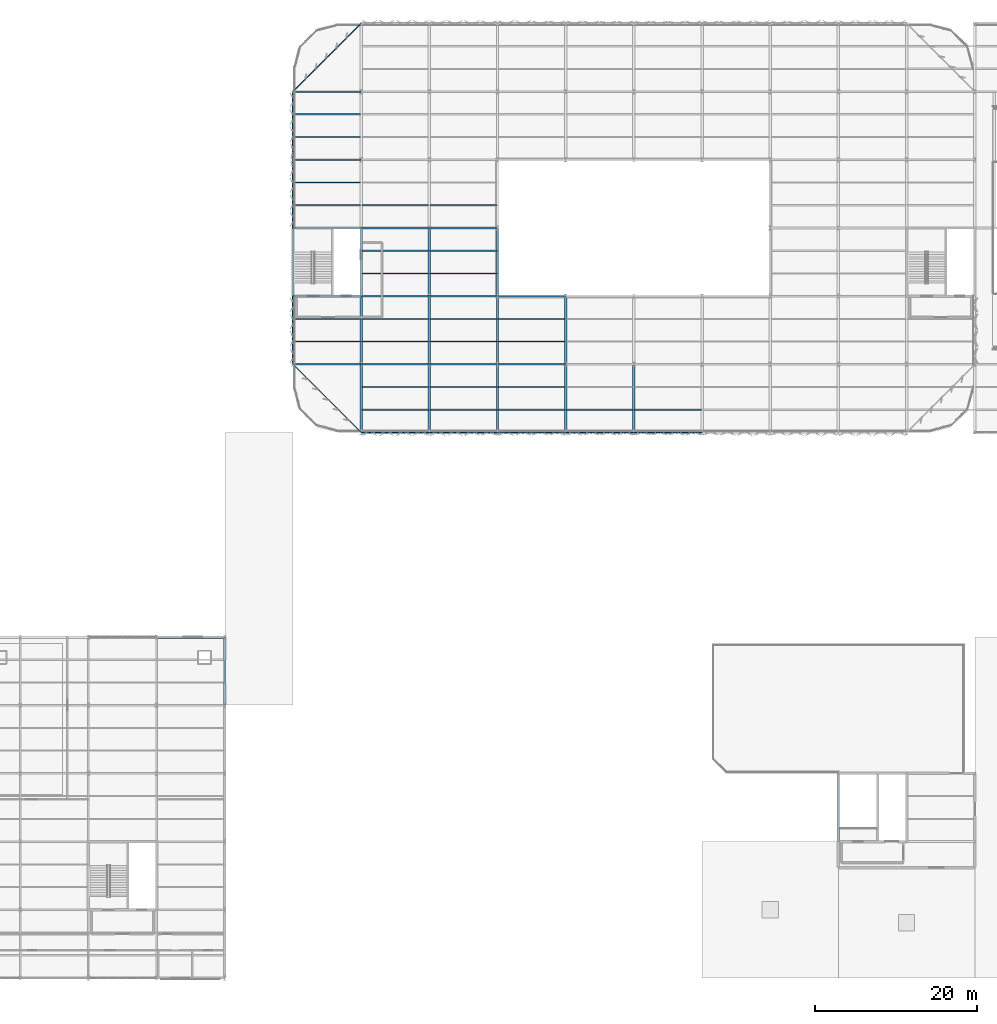
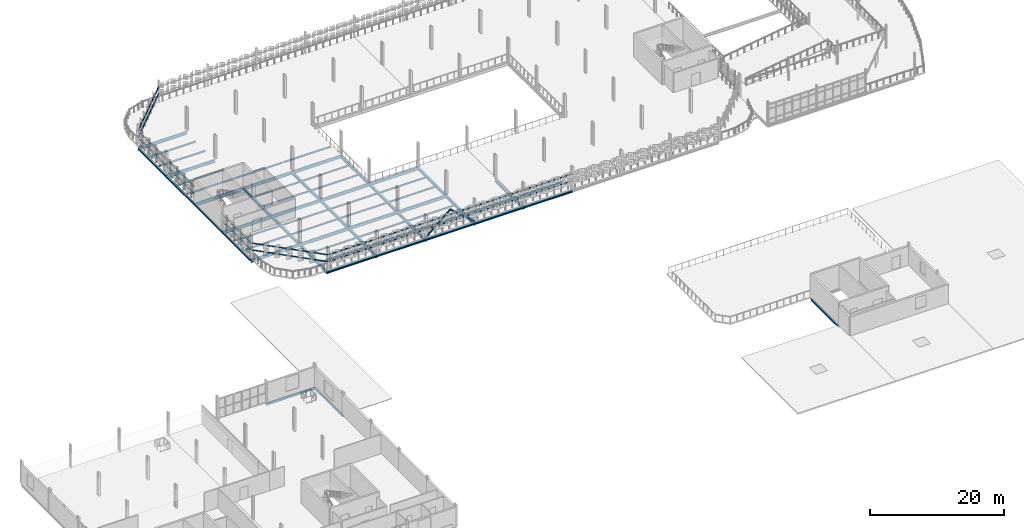
# One storey, part 27 of 69: 83 beams, 2 members.
"""IFC4 building model written with IfcOpenShell, lengths in metres."""

from ifc_helpers import new_model, si_unit, direction, frame, origin, origin_2d, place, context, subcontext, project, spatial, hollow_rectangle, i_section, extrude, material, material_profile, profile_set, type_object, element, save


model = new_model("IFC4")

# Units and contexts
model_context = context("Model", 3, precision=1e-05, world=origin(), true_north=direction((0.0, 1.0)))
body_context = subcontext(model_context, "Body", "Model", "MODEL_VIEW")
ifc_project = project(units=[si_unit("LENGTHUNIT", "METRE"), si_unit("AREAUNIT", "SQUARE_METRE"), si_unit("VOLUMEUNIT", "CUBIC_METRE"), si_unit("PLANEANGLEUNIT", "RADIAN"), si_unit("MASSUNIT", "GRAM", prefix="KILO")], contexts=[model_context])

# Site, building, storey
site_placement = place(None, origin())
site = spatial("IfcSite", under=ifc_project, at=site_placement, CompositionType="ELEMENT")
building_placement = place(site_placement, origin())
building = spatial("IfcBuilding", under=site, at=building_placement, Name="Qalvenar Corner Mobility Hub", CompositionType="ELEMENT")
storey_placement = place(building_placement, frame((0.0, 0.0, 13.199951171875)))
storey = spatial("IfcBuildingStorey", under=building, at=storey_placement, Name="L03", CompositionType="ELEMENT", Elevation=13.199951171875)

# Beams
ifc_material = material(Name="Steel S355", Category="steel")
ifc_material_profile_1 = material_profile(ifc_material, i_section(OverallWidth=0.300048828125, OverallDepth=0.489990234375, WebThickness=0.011962890625, FlangeThickness=0.02294921875, FilletRadius=0.027099609375, at=origin_2d()), Name="HEA500")
ifc_profile_set_1 = profile_set([ifc_material_profile_1], Name="Steel S355")
beam_type_1 = type_object("IfcBeamType", Name="BM-HEA500", PredefinedType="BEAM", material=ifc_profile_set_1)
beam_1_placement = place(storey_placement, frame((67.199951171875, 67.199951171875, -0.48486328125), z_axis=(0.0, 1.0, 0.0), x_axis=(-1.0, 0.0, 0.0)))
element("IfcBeam", 1, at=beam_1_placement, inside=storey, type_object=beam_type_1, Name="Primary Steel Girder GY-2391", PredefinedType="BEAM", context=body_context, shape_type="SweptSolid", body=[
    extrude(i_section(OverallWidth=0.300048828125, OverallDepth=0.489990234375, WebThickness=0.011962890625, FlangeThickness=0.02294921875, FilletRadius=0.027099609375, at=origin_2d()), origin(), (0.0, 0.0, 1.0), 8.400146484375),
])
for number, where, z_axis, x_axis, name in (
    (2, (67.199951171875, 75.60009765625, -0.48486328125), (0.0, 1.0, 0.0), (-1.0, 0.0, 0.0), "Primary Steel Girder GY-2392"),
    (3, (67.199951171875, 84.0, -0.48486328125), (0.0, 1.0, 0.0), (-1.0, 0.0, 0.0), "Primary Steel Girder GY-2393"),
):
    element("IfcBeam", number, at=place(storey_placement, frame(where, z_axis=z_axis, x_axis=x_axis)), inside=storey, type_object=beam_type_1, Name=name, PredefinedType="BEAM", context=body_context, shape_type="SweptSolid", body=[
        extrude(i_section(OverallWidth=0.300048828125, OverallDepth=0.489990234375, WebThickness=0.011962890625, FlangeThickness=0.02294921875, FilletRadius=0.027099609375, at=origin_2d()), origin(), (0.0, 0.0, 1.0), 8.39990234375),
    ])
beam_2_placement = place(storey_placement, frame((75.60009765625, 67.199951171875, -0.48486328125), z_axis=(0.0, 1.0, 0.0), x_axis=(-1.0, 0.0, 0.0)))
element("IfcBeam", 4, at=beam_2_placement, inside=storey, type_object=beam_type_1, Name="Primary Steel Girder GY-2397", PredefinedType="BEAM", context=body_context, shape_type="SweptSolid", body=[
    extrude(i_section(OverallWidth=0.300048828125, OverallDepth=0.489990234375, WebThickness=0.011962890625, FlangeThickness=0.02294921875, FilletRadius=0.027099609375, at=origin_2d()), origin(), (0.0, 0.0, 1.0), 8.400146484375),
])
for number, where, z_axis, x_axis, name in (
    (5, (75.60009765625, 75.60009765625, -0.48486328125), (0.0, 1.0, 0.0), (-1.0, 0.0, 0.0), "Primary Steel Girder GY-2398"),
    (6, (75.60009765625, 84.0, -0.48486328125), (0.0, 1.0, 0.0), (-1.0, 0.0, 0.0), "Primary Steel Girder GY-2399"),
):
    element("IfcBeam", number, at=place(storey_placement, frame(where, z_axis=z_axis, x_axis=x_axis)), inside=storey, type_object=beam_type_1, Name=name, PredefinedType="BEAM", context=body_context, shape_type="SweptSolid", body=[
        extrude(i_section(OverallWidth=0.300048828125, OverallDepth=0.489990234375, WebThickness=0.011962890625, FlangeThickness=0.02294921875, FilletRadius=0.027099609375, at=origin_2d()), origin(), (0.0, 0.0, 1.0), 8.39990234375),
    ])
beam_3_placement = place(storey_placement, frame((84.0, 67.199951171875, -0.48486328125), z_axis=(0.0, 1.0, 0.0), x_axis=(-1.0, 0.0, 0.0)))
element("IfcBeam", 7, at=beam_3_placement, inside=storey, type_object=beam_type_1, Name="Primary Steel Girder GY-2403", PredefinedType="BEAM", context=body_context, shape_type="SweptSolid", body=[
    extrude(i_section(OverallWidth=0.300048828125, OverallDepth=0.489990234375, WebThickness=0.011962890625, FlangeThickness=0.02294921875, FilletRadius=0.027099609375, at=origin_2d()), origin(), (0.0, 0.0, 1.0), 8.400146484375),
])
for number, where, z_axis, x_axis, name in (
    (8, (84.0, 75.60009765625, -0.48486328125), (0.0, 1.0, 0.0), (-1.0, 0.0, 0.0), "Primary Steel Girder GY-2404"),
    (9, (84.0, 84.0, -0.48486328125), (0.0, 1.0, 0.0), (-1.0, 0.0, 0.0), "Primary Steel Girder GY-2405"),
):
    element("IfcBeam", number, at=place(storey_placement, frame(where, z_axis=z_axis, x_axis=x_axis)), inside=storey, type_object=beam_type_1, Name=name, PredefinedType="BEAM", context=body_context, shape_type="SweptSolid", body=[
        extrude(i_section(OverallWidth=0.300048828125, OverallDepth=0.489990234375, WebThickness=0.011962890625, FlangeThickness=0.02294921875, FilletRadius=0.027099609375, at=origin_2d()), origin(), (0.0, 0.0, 1.0), 8.39990234375),
    ])
beam_4_placement = place(storey_placement, frame((92.39990234375, 67.199951171875, -0.48486328125), z_axis=(0.0, 1.0, 0.0), x_axis=(-1.0, 0.0, 0.0)))
element("IfcBeam", 10, at=beam_4_placement, inside=storey, type_object=beam_type_1, Name="Primary Steel Girder GY-2409", PredefinedType="BEAM", context=body_context, shape_type="SweptSolid", body=[
    extrude(i_section(OverallWidth=0.300048828125, OverallDepth=0.489990234375, WebThickness=0.011962890625, FlangeThickness=0.02294921875, FilletRadius=0.027099609375, at=origin_2d()), origin(), (0.0, 0.0, 1.0), 8.400146484375),
])
beam_5_placement = place(storey_placement, frame((92.39990234375, 75.60009765625, -0.48486328125), z_axis=(0.0, 1.0, 0.0), x_axis=(-1.0, 0.0, 0.0)))
element("IfcBeam", 11, at=beam_5_placement, inside=storey, type_object=beam_type_1, Name="Primary Steel Girder GY-2410", PredefinedType="BEAM", context=body_context, shape_type="SweptSolid", body=[
    extrude(i_section(OverallWidth=0.300048828125, OverallDepth=0.489990234375, WebThickness=0.011962890625, FlangeThickness=0.02294921875, FilletRadius=0.027099609375, at=origin_2d()), origin(), (0.0, 0.0, 1.0), 8.39990234375),
])
beam_6_placement = place(storey_placement, frame((100.800048828125, 67.199951171875, -0.48486328125), z_axis=(0.0, 1.0, 0.0), x_axis=(-1.0, 0.0, 0.0)))
element("IfcBeam", 12, at=beam_6_placement, inside=storey, type_object=beam_type_1, Name="Primary Steel Girder GY-2413", PredefinedType="BEAM", context=body_context, shape_type="SweptSolid", body=[
    extrude(i_section(OverallWidth=0.300048828125, OverallDepth=0.489990234375, WebThickness=0.011962890625, FlangeThickness=0.02294921875, FilletRadius=0.027099609375, at=origin_2d()), origin(), (0.0, 0.0, 1.0), 8.400146484375),
])
ifc_material_profile_2 = material_profile(ifc_material, i_section(OverallWidth=0.2099609375, OverallDepth=0.550048828125, WebThickness=0.010986328125, FlangeThickness=0.01708984375, FilletRadius=0.02392578125, at=origin_2d()), Name="IPE550")
ifc_profile_set_2 = profile_set([ifc_material_profile_2], Name="Steel S355")
beam_type_2 = type_object("IfcBeamType", Name="BM-IPE550", PredefinedType="BEAM", material=ifc_profile_set_2)
beam_7_placement = place(storey_placement, frame((58.800048828125, 75.60009765625, -0.514892578125), z_axis=(1.0, 0.0, 0.0), x_axis=(0.0, 1.0, 0.0)))
element("IfcBeam", 13, at=beam_7_placement, inside=storey, type_object=beam_type_2, Name="Primary Steel Girder GX-2333", PredefinedType="BEAM", context=body_context, shape_type="SweptSolid", body=[
    extrude(i_section(OverallWidth=0.2099609375, OverallDepth=0.550048828125, WebThickness=0.010986328125, FlangeThickness=0.01708984375, FilletRadius=0.02392578125, at=origin_2d()), origin(), (0.0, 0.0, 1.0), 8.39990234375),
])
beam_8_placement = place(storey_placement, frame((67.199951171875, 75.60009765625, -0.514892578125), z_axis=(1.0, 0.0, 0.0), x_axis=(0.0, 1.0, 0.0)))
element("IfcBeam", 14, at=beam_8_placement, inside=storey, type_object=beam_type_2, Name="Primary Steel Girder GX-2334", PredefinedType="BEAM", context=body_context, shape_type="SweptSolid", body=[
    extrude(i_section(OverallWidth=0.2099609375, OverallDepth=0.550048828125, WebThickness=0.010986328125, FlangeThickness=0.01708984375, FilletRadius=0.02392578125, at=origin_2d()), origin(), (0.0, 0.0, 1.0), 8.400146484375),
])
for number, where, z_axis, x_axis, name in (
    (15, (75.60009765625, 75.60009765625, -0.514892578125), (1.0, 0.0, 0.0), (0.0, 1.0, 0.0), "Primary Steel Girder GX-2335"),
    (16, (84.0, 75.60009765625, -0.514892578125), (1.0, 0.0, 0.0), (0.0, 1.0, 0.0), "Primary Steel Girder GX-2336"),
    (17, (58.800048828125, 84.0, -0.514892578125), (1.0, 0.0, 0.0), (0.0, 1.0, 0.0), "Primary Steel Girder GX-2343"),
):
    element("IfcBeam", number, at=place(storey_placement, frame(where, z_axis=z_axis, x_axis=x_axis)), inside=storey, type_object=beam_type_2, Name=name, PredefinedType="BEAM", context=body_context, shape_type="SweptSolid", body=[
        extrude(i_section(OverallWidth=0.2099609375, OverallDepth=0.550048828125, WebThickness=0.010986328125, FlangeThickness=0.01708984375, FilletRadius=0.02392578125, at=origin_2d()), origin(), (0.0, 0.0, 1.0), 8.39990234375),
    ])
beam_9_placement = place(storey_placement, frame((67.199951171875, 84.0, -0.514892578125), z_axis=(1.0, 0.0, 0.0), x_axis=(0.0, 1.0, 0.0)))
element("IfcBeam", 18, at=beam_9_placement, inside=storey, type_object=beam_type_2, Name="Primary Steel Girder GX-2344", PredefinedType="BEAM", context=body_context, shape_type="SweptSolid", body=[
    extrude(i_section(OverallWidth=0.2099609375, OverallDepth=0.550048828125, WebThickness=0.010986328125, FlangeThickness=0.01708984375, FilletRadius=0.02392578125, at=origin_2d()), origin(), (0.0, 0.0, 1.0), 8.400146484375),
])
for number, where, z_axis, x_axis, name in (
    (19, (75.60009765625, 84.0, -0.514892578125), (1.0, 0.0, 0.0), (0.0, 1.0, 0.0), "Primary Steel Girder GX-2345"),
    (20, (84.0, 84.0, -0.514892578125), (1.0, 0.0, 0.0), (0.0, 1.0, 0.0), "Primary Steel Girder GX-2346"),
    (21, (58.800048828125, 92.39990234375, -0.514892578125), (1.0, 0.0, 0.0), (0.0, 1.0, 0.0), "Primary Steel Girder GX-2353"),
):
    element("IfcBeam", number, at=place(storey_placement, frame(where, z_axis=z_axis, x_axis=x_axis)), inside=storey, type_object=beam_type_2, Name=name, PredefinedType="BEAM", context=body_context, shape_type="SweptSolid", body=[
        extrude(i_section(OverallWidth=0.2099609375, OverallDepth=0.550048828125, WebThickness=0.010986328125, FlangeThickness=0.01708984375, FilletRadius=0.02392578125, at=origin_2d()), origin(), (0.0, 0.0, 1.0), 8.39990234375),
    ])
beam_10_placement = place(storey_placement, frame((67.199951171875, 92.39990234375, -0.514892578125), z_axis=(1.0, 0.0, 0.0), x_axis=(0.0, 1.0, 0.0)))
element("IfcBeam", 22, at=beam_10_placement, inside=storey, type_object=beam_type_2, Name="Primary Steel Girder GX-2354", PredefinedType="BEAM", context=body_context, shape_type="SweptSolid", body=[
    extrude(i_section(OverallWidth=0.2099609375, OverallDepth=0.550048828125, WebThickness=0.010986328125, FlangeThickness=0.01708984375, FilletRadius=0.02392578125, at=origin_2d()), origin(), (0.0, 0.0, 1.0), 8.400146484375),
])
for number, where, z_axis, x_axis, name in (
    (23, (75.60009765625, 92.39990234375, -0.514892578125), (1.0, 0.0, 0.0), (0.0, 1.0, 0.0), "Primary Steel Girder GX-2355"),
    (24, (58.800048828125, 100.800048828125, -0.514892578125), (1.0, 0.0, 0.0), (0.0, 1.0, 0.0), "Primary Steel Girder GX-2359"),
    (25, (58.800048828125, 109.199951171875, -0.514892578125), (1.0, 0.0, 0.0), (0.0, 1.0, 0.0), "Primary Steel Girder GX-2369"),
):
    element("IfcBeam", number, at=place(storey_placement, frame(where, z_axis=z_axis, x_axis=x_axis)), inside=storey, type_object=beam_type_2, Name=name, PredefinedType="BEAM", context=body_context, shape_type="SweptSolid", body=[
        extrude(i_section(OverallWidth=0.2099609375, OverallDepth=0.550048828125, WebThickness=0.010986328125, FlangeThickness=0.01708984375, FilletRadius=0.02392578125, at=origin_2d()), origin(), (0.0, 0.0, 1.0), 8.39990234375),
    ])
ifc_material_profile_3 = material_profile(ifc_material, i_section(OverallWidth=0.14990234375, OverallDepth=0.300048828125, WebThickness=0.007080078125, FlangeThickness=0.0107421875, FilletRadius=0.014892578125, at=origin_2d()), Name="IPE300")
ifc_profile_set_3 = profile_set([ifc_material_profile_3], Name="Steel S355")
beam_type_3 = type_object("IfcBeamType", Name="BM-JST300", PredefinedType="JOIST", material=ifc_profile_set_3)
for number, where, z_axis, x_axis, name in (
    (26, (58.8779296875, 78.39990234375, -0.389892578125), (1.0, 0.0, 0.0), (0.0, 1.0, 0.0), "Composite Floor Joist J-2443"),
    (27, (58.8779296875, 81.199951171875, -0.389892578125), (1.0, 0.0, 0.0), (0.0, 1.0, 0.0), "Composite Floor Joist J-2444"),
    (28, (58.8779296875, 95.199951171875, -0.389892578125), (1.0, 0.0, 0.0), (0.0, 1.0, 0.0), "Composite Floor Joist J-2445"),
    (29, (58.8779296875, 98.0, -0.389892578125), (1.0, 0.0, 0.0), (0.0, 1.0, 0.0), "Composite Floor Joist J-2446"),
    (30, (58.8779296875, 103.60009765625, -0.389892578125), (1.0, 0.0, 0.0), (0.0, 1.0, 0.0), "Composite Floor Joist J-2447"),
    (31, (58.8779296875, 106.39990234375, -0.389892578125), (1.0, 0.0, 0.0), (0.0, 1.0, 0.0), "Composite Floor Joist J-2448"),
):
    element("IfcBeam", number, at=place(storey_placement, frame(where, z_axis=z_axis, x_axis=x_axis)), inside=storey, type_object=beam_type_3, Name=name, PredefinedType="JOIST", context=body_context, shape_type="SweptSolid", body=[
        extrude(i_section(OverallWidth=0.14990234375, OverallDepth=0.300048828125, WebThickness=0.007080078125, FlangeThickness=0.0107421875, FilletRadius=0.014892578125, at=origin_2d()), origin(), (0.0, 0.0, 1.0), 8.244140625),
    ])
for number, where, z_axis, x_axis, name in (
    (32, (67.278076171875, 70.0, -0.389892578125), (1.0, 0.0, 0.0), (0.0, 1.0, 0.0), "Composite Floor Joist J-2449"),
    (33, (67.278076171875, 72.800048828125, -0.389892578125), (1.0, 0.0, 0.0), (0.0, 1.0, 0.0), "Composite Floor Joist J-2450"),
    (34, (67.278076171875, 78.39990234375, -0.389892578125), (1.0, 0.0, 0.0), (0.0, 1.0, 0.0), "Composite Floor Joist J-2451"),
    (35, (67.278076171875, 81.199951171875, -0.389892578125), (1.0, 0.0, 0.0), (0.0, 1.0, 0.0), "Composite Floor Joist J-2452"),
    (36, (67.278076171875, 86.800048828125, -0.389892578125), (1.0, 0.0, 0.0), (0.0, 1.0, 0.0), "Composite Floor Joist J-2453"),
    (37, (67.278076171875, 89.60009765625, -0.389892578125), (1.0, 0.0, 0.0), (0.0, 1.0, 0.0), "Composite Floor Joist J-2454"),
    (38, (67.278076171875, 95.199951171875, -0.389892578125), (1.0, 0.0, 0.0), (0.0, 1.0, 0.0), "Composite Floor Joist J-2455"),
):
    element("IfcBeam", number, at=place(storey_placement, frame(where, z_axis=z_axis, x_axis=x_axis)), inside=storey, type_object=beam_type_3, Name=name, PredefinedType="JOIST", context=body_context, shape_type="SweptSolid", body=[
        extrude(i_section(OverallWidth=0.14990234375, OverallDepth=0.300048828125, WebThickness=0.007080078125, FlangeThickness=0.0107421875, FilletRadius=0.014892578125, at=origin_2d()), origin(), (0.0, 0.0, 1.0), 8.243896484375),
    ])
for number, where, z_axis, x_axis, name in (
    (39, (75.677978515625, 70.0, -0.389892578125), (1.0, 0.0, 0.0), (0.0, 1.0, 0.0), "Composite Floor Joist J-2461"),
    (40, (75.677978515625, 72.800048828125, -0.389892578125), (1.0, 0.0, 0.0), (0.0, 1.0, 0.0), "Composite Floor Joist J-2462"),
    (41, (75.677978515625, 78.39990234375, -0.389892578125), (1.0, 0.0, 0.0), (0.0, 1.0, 0.0), "Composite Floor Joist J-2463"),
    (42, (75.677978515625, 81.199951171875, -0.389892578125), (1.0, 0.0, 0.0), (0.0, 1.0, 0.0), "Composite Floor Joist J-2464"),
    (43, (75.677978515625, 86.800048828125, -0.389892578125), (1.0, 0.0, 0.0), (0.0, 1.0, 0.0), "Composite Floor Joist J-2465"),
    (44, (75.677978515625, 89.60009765625, -0.389892578125), (1.0, 0.0, 0.0), (0.0, 1.0, 0.0), "Composite Floor Joist J-2466"),
    (45, (75.677978515625, 95.199951171875, -0.389892578125), (1.0, 0.0, 0.0), (0.0, 1.0, 0.0), "Composite Floor Joist J-2467"),
    (46, (84.077880859375, 70.0, -0.389892578125), (1.0, 0.0, 0.0), (0.0, 1.0, 0.0), "Composite Floor Joist J-2473"),
    (47, (84.077880859375, 72.800048828125, -0.389892578125), (1.0, 0.0, 0.0), (0.0, 1.0, 0.0), "Composite Floor Joist J-2474"),
    (48, (84.077880859375, 78.39990234375, -0.389892578125), (1.0, 0.0, 0.0), (0.0, 1.0, 0.0), "Composite Floor Joist J-2475"),
    (49, (84.077880859375, 81.199951171875, -0.389892578125), (1.0, 0.0, 0.0), (0.0, 1.0, 0.0), "Composite Floor Joist J-2476"),
):
    element("IfcBeam", number, at=place(storey_placement, frame(where, z_axis=z_axis, x_axis=x_axis)), inside=storey, type_object=beam_type_3, Name=name, PredefinedType="JOIST", context=body_context, shape_type="SweptSolid", body=[
        extrude(i_section(OverallWidth=0.14990234375, OverallDepth=0.300048828125, WebThickness=0.007080078125, FlangeThickness=0.0107421875, FilletRadius=0.014892578125, at=origin_2d()), origin(), (0.0, 0.0, 1.0), 8.244140625),
    ])
beam_11_placement = place(storey_placement, frame((92.47802734375, 70.0, -0.389892578125), z_axis=(1.0, 0.0, 0.0), x_axis=(0.0, 1.0, 0.0)))
element("IfcBeam", 50, at=beam_11_placement, inside=storey, type_object=beam_type_3, Name="Composite Floor Joist J-2481", PredefinedType="JOIST", context=body_context, shape_type="SweptSolid", body=[
    extrude(i_section(OverallWidth=0.14990234375, OverallDepth=0.300048828125, WebThickness=0.007080078125, FlangeThickness=0.0107421875, FilletRadius=0.014892578125, at=origin_2d()), origin(), (0.0, 0.0, 1.0), 8.243896484375),
])
beam_12_placement = place(storey_placement, frame((100.8779296875, 70.0, -0.389892578125), z_axis=(1.0, 0.0, 0.0), x_axis=(0.0, 1.0, 0.0)))
element("IfcBeam", 51, at=beam_12_placement, inside=storey, type_object=beam_type_3, Name="Composite Floor Joist J-2489", PredefinedType="JOIST", context=body_context, shape_type="SweptSolid", body=[
    extrude(i_section(OverallWidth=0.14990234375, OverallDepth=0.300048828125, WebThickness=0.007080078125, FlangeThickness=0.0107421875, FilletRadius=0.014892578125, at=origin_2d()), origin(), (0.0, 0.0, 1.0), 8.244140625),
])
ifc_material_profile_4 = material_profile(ifc_material, i_section(OverallWidth=0.280029296875, OverallDepth=0.27001953125, WebThickness=0.008056640625, FlangeThickness=0.012939453125, FilletRadius=0.02392578125, at=origin_2d()), Name="HEA280")
ifc_profile_set_4 = profile_set([ifc_material_profile_4], Name="Steel S355")
beam_type_4 = type_object("IfcBeamType", Name="BM-SPN280", PredefinedType="SPANDREL", material=ifc_profile_set_4)
for number, where, z_axis, x_axis, name in (
    (52, (50.39990234375, 33.60009765625, -0.31494140625), (0.0, 1.0, 0.0), (-1.0, 0.0, 0.0), "Primary Steel Girder GY-2258"),
    (53, (126.0, 16.800048828125, -0.385009765625), (0.0, 1.0, 0.0), (-1.0, 0.0, 0.0), "Primary Steel Girder GY-2320"),
    (54, (58.800048828125, 75.60009765625, -0.375), (0.0, 1.0, 0.0), (-1.0, 0.0, 0.0), "Primary Steel Girder GY-2387"),
    (55, (58.800048828125, 84.0, -0.375), (0.0, 1.0, 0.0), (-1.0, 0.0, 0.0), "Primary Steel Girder GY-2388"),
):
    element("IfcBeam", number, at=place(storey_placement, frame(where, z_axis=z_axis, x_axis=x_axis)), inside=storey, type_object=beam_type_4, Name=name, PredefinedType="SPANDREL", context=body_context, shape_type="SweptSolid", body=[
        extrude(i_section(OverallWidth=0.280029296875, OverallDepth=0.27001953125, WebThickness=0.008056640625, FlangeThickness=0.012939453125, FilletRadius=0.02392578125, at=origin_2d()), origin(), (0.0, 0.0, 1.0), 8.39990234375),
    ])
beam_13_placement = place(storey_placement, frame((58.800048828125, 92.39990234375, -0.375), z_axis=(0.0, 1.0, 0.0), x_axis=(-1.0, 0.0, 0.0)))
element("IfcBeam", 56, at=beam_13_placement, inside=storey, type_object=beam_type_4, Name="Primary Steel Girder GY-2389", PredefinedType="SPANDREL", context=body_context, shape_type="SweptSolid", body=[
    extrude(i_section(OverallWidth=0.280029296875, OverallDepth=0.27001953125, WebThickness=0.008056640625, FlangeThickness=0.012939453125, FilletRadius=0.02392578125, at=origin_2d()), origin(), (0.0, 0.0, 1.0), 8.400146484375),
])
beam_14_placement = place(storey_placement, frame((58.800048828125, 100.800048828125, -0.375), z_axis=(0.0, 1.0, 0.0), x_axis=(-1.0, 0.0, 0.0)))
element("IfcBeam", 57, at=beam_14_placement, inside=storey, type_object=beam_type_4, Name="Primary Steel Girder GY-2390", PredefinedType="SPANDREL", context=body_context, shape_type="SweptSolid", body=[
    extrude(i_section(OverallWidth=0.280029296875, OverallDepth=0.27001953125, WebThickness=0.008056640625, FlangeThickness=0.012939453125, FilletRadius=0.02392578125, at=origin_2d()), origin(), (0.0, 0.0, 1.0), 8.39990234375),
])
ifc_material_profile_5 = material_profile(ifc_material, i_section(OverallWidth=0.300048828125, OverallDepth=0.2900390625, WebThickness=0.008544921875, FlangeThickness=0.013916015625, FilletRadius=0.027099609375, at=origin_2d()), Name="HEA300")
ifc_profile_set_5 = profile_set([ifc_material_profile_5], Name="Steel S355")
beam_type_5 = type_object("IfcBeamType", Name="BM-SPN300", PredefinedType="SPANDREL", material=ifc_profile_set_5)
beam_15_placement = place(storey_placement, frame((42.0, 42.0, -0.324951171875), z_axis=(1.0, 0.0, 0.0), x_axis=(0.0, 1.0, 0.0)))
element("IfcBeam", 58, at=beam_15_placement, inside=storey, type_object=beam_type_5, Name="Primary Steel Girder GX-2223", PredefinedType="SPANDREL", context=body_context, shape_type="SweptSolid", body=[
    extrude(i_section(OverallWidth=0.300048828125, OverallDepth=0.2900390625, WebThickness=0.008544921875, FlangeThickness=0.013916015625, FilletRadius=0.027099609375, at=origin_2d()), origin(), (0.0, 0.0, 1.0), 8.39990234375),
])
beam_16_placement = place(storey_placement, frame((67.199951171875, 67.199951171875, -0.385009765625), z_axis=(1.0, 0.0, 0.0), x_axis=(0.0, 1.0, 0.0)))
element("IfcBeam", 59, at=beam_16_placement, inside=storey, type_object=beam_type_5, Name="Primary Steel Girder GX-2325", PredefinedType="SPANDREL", context=body_context, shape_type="SweptSolid", body=[
    extrude(i_section(OverallWidth=0.300048828125, OverallDepth=0.2900390625, WebThickness=0.008544921875, FlangeThickness=0.013916015625, FilletRadius=0.027099609375, at=origin_2d()), origin(), (0.0, 0.0, 1.0), 8.400146484375),
])
for number, where, z_axis, x_axis, name in (
    (60, (75.60009765625, 67.199951171875, -0.385009765625), (1.0, 0.0, 0.0), (0.0, 1.0, 0.0), "Primary Steel Girder GX-2326"),
    (61, (84.0, 67.199951171875, -0.385009765625), (1.0, 0.0, 0.0), (0.0, 1.0, 0.0), "Primary Steel Girder GX-2327"),
):
    element("IfcBeam", number, at=place(storey_placement, frame(where, z_axis=z_axis, x_axis=x_axis)), inside=storey, type_object=beam_type_5, Name=name, PredefinedType="SPANDREL", context=body_context, shape_type="SweptSolid", body=[
        extrude(i_section(OverallWidth=0.300048828125, OverallDepth=0.2900390625, WebThickness=0.008544921875, FlangeThickness=0.013916015625, FilletRadius=0.027099609375, at=origin_2d()), origin(), (0.0, 0.0, 1.0), 8.39990234375),
    ])
beam_17_placement = place(storey_placement, frame((92.39990234375, 67.199951171875, -0.385009765625), z_axis=(1.0, 0.0, 0.0), x_axis=(0.0, 1.0, 0.0)))
element("IfcBeam", 62, at=beam_17_placement, inside=storey, type_object=beam_type_5, Name="Primary Steel Girder GX-2328", PredefinedType="SPANDREL", context=body_context, shape_type="SweptSolid", body=[
    extrude(i_section(OverallWidth=0.300048828125, OverallDepth=0.2900390625, WebThickness=0.008544921875, FlangeThickness=0.013916015625, FilletRadius=0.027099609375, at=origin_2d()), origin(), (0.0, 0.0, 1.0), 8.400146484375),
])
beam_18_placement = place(storey_placement, frame((100.800048828125, 67.199951171875, -0.385009765625), z_axis=(1.0, 0.0, 0.0), x_axis=(0.0, 1.0, 0.0)))
element("IfcBeam", 63, at=beam_18_placement, inside=storey, type_object=beam_type_5, Name="Primary Steel Girder GX-2329", PredefinedType="SPANDREL", context=body_context, shape_type="SweptSolid", body=[
    extrude(i_section(OverallWidth=0.300048828125, OverallDepth=0.2900390625, WebThickness=0.008544921875, FlangeThickness=0.013916015625, FilletRadius=0.027099609375, at=origin_2d()), origin(), (0.0, 0.0, 1.0), 8.39990234375),
])

# Members
ifc_material_profile_6 = material_profile(ifc_material, hollow_rectangle(XDim=0.14990234375, YDim=0.25, WallThickness=0.010009765625, InnerFilletRadius=0.010009765625, OuterFilletRadius=0.02001953125, at=origin_2d()), Name="RHS250x150x10")
ifc_profile_set_6 = profile_set([ifc_material_profile_6], Name="Steel S355")
member_type = type_object("IfcMemberType", Name="BR-RHS250", PredefinedType="BRACE", material=ifc_profile_set_6)
for number, where, z_axis, x_axis, name in (
    (64, (84.0, 67.199951171875, 0.02001953125), (0.757457263903, 0.0, 0.652884747379), (0.0, 1.0, 0.0), "Chevron Lateral Brace BR-027"),
    (65, (92.39990234375, 67.199951171875, 0.02001953125), (-0.757457263903, 0.0, 0.652884747379), (0.0, -1.0, 0.0), "Chevron Lateral Brace BR-028"),
):
    element("IfcMember", number, at=place(storey_placement, frame(where, z_axis=z_axis, x_axis=x_axis)), inside=storey, type_object=member_type, Name=name, PredefinedType="BRACE", context=body_context, shape_type="SweptSolid", body=[
        extrude(hollow_rectangle(XDim=0.14990234375, YDim=0.25, WallThickness=0.010009765625, InnerFilletRadius=0.010009765625, OuterFilletRadius=0.02001953125, at=origin_2d()), origin(), (0.0, 0.0, 1.0), 5.544921875),
    ])

# Beams
ifc_material_profile_7 = material_profile(ifc_material, hollow_rectangle(XDim=0.080078125, YDim=0.1201171875, WallThickness=0.0048828125, InnerFilletRadius=0.0048828125, OuterFilletRadius=0.010009765625, at=origin_2d()), Name="RHS120x80x5")
ifc_profile_set_7 = profile_set([ifc_material_profile_7], Name="Steel S355")
beam_type_6 = type_object("IfcBeamType", Name="FR-RAIL120", PredefinedType="SPANDREL", material=ifc_profile_set_7)
beam_19_placement = place(storey_placement, frame((67.199951171875, 67.199951171875, 2.75), z_axis=(1.0, 0.0, 0.0), x_axis=(0.0, 1.0, 0.0)))
element("IfcBeam", 66, at=beam_19_placement, inside=storey, type_object=beam_type_6, Name="Facade Hinge Support Rail FR-L03-0098", PredefinedType="SPANDREL", context=body_context, shape_type="SweptSolid", body=[
    extrude(hollow_rectangle(XDim=0.080078125, YDim=0.1201171875, WallThickness=0.0048828125, InnerFilletRadius=0.0048828125, OuterFilletRadius=0.010009765625, at=origin_2d()), origin(), (0.0, 0.0, 1.0), 8.400146484375),
])
for number, where, z_axis, x_axis, name in (
    (67, (75.60009765625, 67.199951171875, 2.75), (1.0, 0.0, 0.0), (0.0, 1.0, 0.0), "Facade Hinge Support Rail FR-L03-0100"),
    (68, (84.0, 67.199951171875, 2.75), (1.0, 0.0, 0.0), (0.0, 1.0, 0.0), "Facade Hinge Support Rail FR-L03-0102"),
):
    element("IfcBeam", number, at=place(storey_placement, frame(where, z_axis=z_axis, x_axis=x_axis)), inside=storey, type_object=beam_type_6, Name=name, PredefinedType="SPANDREL", context=body_context, shape_type="SweptSolid", body=[
        extrude(hollow_rectangle(XDim=0.080078125, YDim=0.1201171875, WallThickness=0.0048828125, InnerFilletRadius=0.0048828125, OuterFilletRadius=0.010009765625, at=origin_2d()), origin(), (0.0, 0.0, 1.0), 8.39990234375),
    ])
beam_20_placement = place(storey_placement, frame((92.39990234375, 67.199951171875, 2.75), z_axis=(1.0, 0.0, 0.0), x_axis=(0.0, 1.0, 0.0)))
element("IfcBeam", 69, at=beam_20_placement, inside=storey, type_object=beam_type_6, Name="Facade Hinge Support Rail FR-L03-0104", PredefinedType="SPANDREL", context=body_context, shape_type="SweptSolid", body=[
    extrude(hollow_rectangle(XDim=0.080078125, YDim=0.1201171875, WallThickness=0.0048828125, InnerFilletRadius=0.0048828125, OuterFilletRadius=0.010009765625, at=origin_2d()), origin(), (0.0, 0.0, 1.0), 8.400146484375),
])
for number, where, z_axis, x_axis, name in (
    (70, (100.800048828125, 67.199951171875, 2.75), (1.0, 0.0, 0.0), (0.0, 1.0, 0.0), "Facade Hinge Support Rail FR-L03-0106"),
    (71, (58.800048828125, 84.0, 2.75), (0.0, -1.0, 0.0), (1.0, 0.0, 0.0), "Facade Hinge Support Rail FR-L03-0130"),
    (72, (58.800048828125, 109.199951171875, 2.75), (0.0, -1.0, 0.0), (1.0, 0.0, 0.0), "Facade Hinge Support Rail FR-L03-0132"),
):
    element("IfcBeam", number, at=place(storey_placement, frame(where, z_axis=z_axis, x_axis=x_axis)), inside=storey, type_object=beam_type_6, Name=name, PredefinedType="SPANDREL", context=body_context, shape_type="SweptSolid", body=[
        extrude(hollow_rectangle(XDim=0.080078125, YDim=0.1201171875, WallThickness=0.0048828125, InnerFilletRadius=0.0048828125, OuterFilletRadius=0.010009765625, at=origin_2d()), origin(), (0.0, 0.0, 1.0), 8.39990234375),
    ])
beam_21_placement = place(storey_placement, frame((58.800048828125, 100.800048828125, 2.75), z_axis=(0.0, -1.0, 0.0), x_axis=(1.0, 0.0, 0.0)))
element("IfcBeam", 73, at=beam_21_placement, inside=storey, type_object=beam_type_6, Name="Facade Hinge Support Rail FR-L03-0134", PredefinedType="SPANDREL", context=body_context, shape_type="SweptSolid", body=[
    extrude(hollow_rectangle(XDim=0.080078125, YDim=0.1201171875, WallThickness=0.0048828125, InnerFilletRadius=0.0048828125, OuterFilletRadius=0.010009765625, at=origin_2d()), origin(), (0.0, 0.0, 1.0), 8.400146484375),
])
ifc_material_profile_8 = material_profile(ifc_material, hollow_rectangle(XDim=0.10009765625, YDim=0.14990234375, WallThickness=0.00634765625, InnerFilletRadius=0.00634765625, OuterFilletRadius=0.0126953125, at=origin_2d()), Name="RHS150x100x6.3")
ifc_profile_set_8 = profile_set([ifc_material_profile_8], Name="Steel S355")
beam_type_7 = type_object("IfcBeamType", Name="FR-RAIL150", PredefinedType="SPANDREL", material=ifc_profile_set_8)
beam_22_placement = place(storey_placement, frame((67.199951171875, 67.199951171875, 1.5), z_axis=(1.0, 0.0, 0.0), x_axis=(0.0, 1.0, 0.0)))
element("IfcBeam", 74, at=beam_22_placement, inside=storey, type_object=beam_type_7, Name="Facade Hinge Support Rail FR-L03-0097", PredefinedType="SPANDREL", context=body_context, shape_type="SweptSolid", body=[
    extrude(hollow_rectangle(XDim=0.10009765625, YDim=0.14990234375, WallThickness=0.00634765625, InnerFilletRadius=0.00634765625, OuterFilletRadius=0.0126953125, at=origin_2d()), origin(), (0.0, 0.0, 1.0), 8.400146484375),
])
for number, where, z_axis, x_axis, name in (
    (75, (75.60009765625, 67.199951171875, 1.5), (1.0, 0.0, 0.0), (0.0, 1.0, 0.0), "Facade Hinge Support Rail FR-L03-0099"),
    (76, (84.0, 67.199951171875, 1.5), (1.0, 0.0, 0.0), (0.0, 1.0, 0.0), "Facade Hinge Support Rail FR-L03-0101"),
):
    element("IfcBeam", number, at=place(storey_placement, frame(where, z_axis=z_axis, x_axis=x_axis)), inside=storey, type_object=beam_type_7, Name=name, PredefinedType="SPANDREL", context=body_context, shape_type="SweptSolid", body=[
        extrude(hollow_rectangle(XDim=0.10009765625, YDim=0.14990234375, WallThickness=0.00634765625, InnerFilletRadius=0.00634765625, OuterFilletRadius=0.0126953125, at=origin_2d()), origin(), (0.0, 0.0, 1.0), 8.39990234375),
    ])
beam_23_placement = place(storey_placement, frame((92.39990234375, 67.199951171875, 1.5), z_axis=(1.0, 0.0, 0.0), x_axis=(0.0, 1.0, 0.0)))
element("IfcBeam", 77, at=beam_23_placement, inside=storey, type_object=beam_type_7, Name="Facade Hinge Support Rail FR-L03-0103", PredefinedType="SPANDREL", context=body_context, shape_type="SweptSolid", body=[
    extrude(hollow_rectangle(XDim=0.10009765625, YDim=0.14990234375, WallThickness=0.00634765625, InnerFilletRadius=0.00634765625, OuterFilletRadius=0.0126953125, at=origin_2d()), origin(), (0.0, 0.0, 1.0), 8.400146484375),
])
for number, where, z_axis, x_axis, name in (
    (78, (100.800048828125, 67.199951171875, 1.5), (1.0, 0.0, 0.0), (0.0, 1.0, 0.0), "Facade Hinge Support Rail FR-L03-0105"),
    (79, (58.800048828125, 84.0, 1.5), (0.0, -1.0, 0.0), (1.0, 0.0, 0.0), "Facade Hinge Support Rail FR-L03-0129"),
    (80, (58.800048828125, 109.199951171875, 1.5), (0.0, -1.0, 0.0), (1.0, 0.0, 0.0), "Facade Hinge Support Rail FR-L03-0131"),
):
    element("IfcBeam", number, at=place(storey_placement, frame(where, z_axis=z_axis, x_axis=x_axis)), inside=storey, type_object=beam_type_7, Name=name, PredefinedType="SPANDREL", context=body_context, shape_type="SweptSolid", body=[
        extrude(hollow_rectangle(XDim=0.10009765625, YDim=0.14990234375, WallThickness=0.00634765625, InnerFilletRadius=0.00634765625, OuterFilletRadius=0.0126953125, at=origin_2d()), origin(), (0.0, 0.0, 1.0), 8.39990234375),
    ])
beam_24_placement = place(storey_placement, frame((58.800048828125, 100.800048828125, 1.5), z_axis=(0.0, -1.0, 0.0), x_axis=(1.0, 0.0, 0.0)))
element("IfcBeam", 81, at=beam_24_placement, inside=storey, type_object=beam_type_7, Name="Facade Hinge Support Rail FR-L03-0133", PredefinedType="SPANDREL", context=body_context, shape_type="SweptSolid", body=[
    extrude(hollow_rectangle(XDim=0.10009765625, YDim=0.14990234375, WallThickness=0.00634765625, InnerFilletRadius=0.00634765625, OuterFilletRadius=0.0126953125, at=origin_2d()), origin(), (0.0, 0.0, 1.0), 8.400146484375),
])
for number, where, z_axis, x_axis, name in (
    (82, (58.800048828125, 75.60009765625, 1.5), (0.707096505339, -0.707117056885, 0.0), (0.707117056885, 0.707096505339, 0.0), "Corner Facade Rail FRC-L03-0137"),
    (83, (58.800048828125, 75.60009765625, 2.75), (0.707096505339, -0.707117056885, 0.0), (0.707117056885, 0.707096505339, 0.0), "Corner Facade Rail FRC-L03-0138"),
    (84, (67.199951171875, 117.60009765625, 1.5), (-0.707096505339, -0.707117056885, 0.0), (0.707117056885, -0.707096505339, 0.0), "Corner Facade Rail FRC-L03-0143"),
    (85, (67.199951171875, 117.60009765625, 2.75), (-0.707096505339, -0.707117056885, 0.0), (0.707117056885, -0.707096505339, 0.0), "Corner Facade Rail FRC-L03-0144"),
):
    element("IfcBeam", number, at=place(storey_placement, frame(where, z_axis=z_axis, x_axis=x_axis)), inside=storey, type_object=beam_type_7, Name=name, PredefinedType="SPANDREL", context=body_context, shape_type="SweptSolid", body=[
        extrude(hollow_rectangle(XDim=0.10009765625, YDim=0.14990234375, WallThickness=0.00634765625, InnerFilletRadius=0.00634765625, OuterFilletRadius=0.0126953125, at=origin_2d()), origin(), (0.0, 0.0, 1.0), 11.87939453125),
    ])

save(model, "model.ifc")
